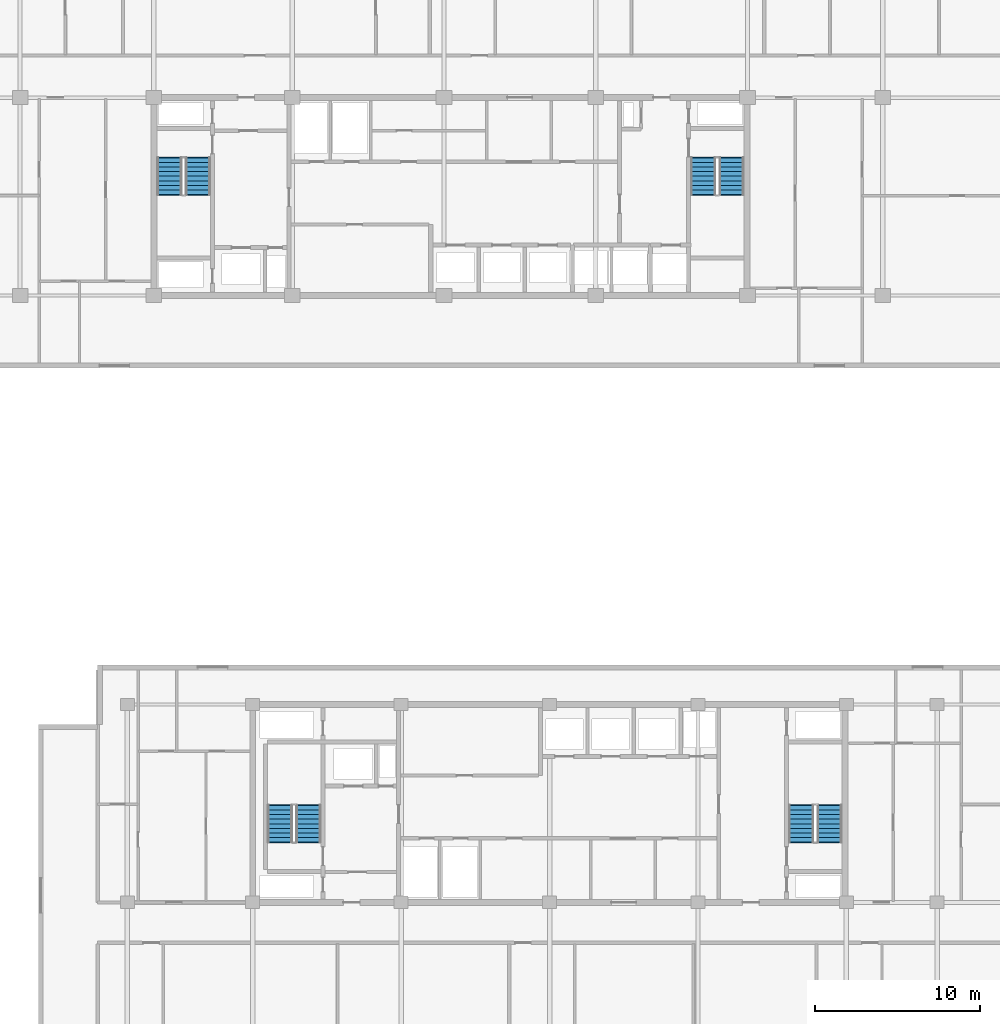
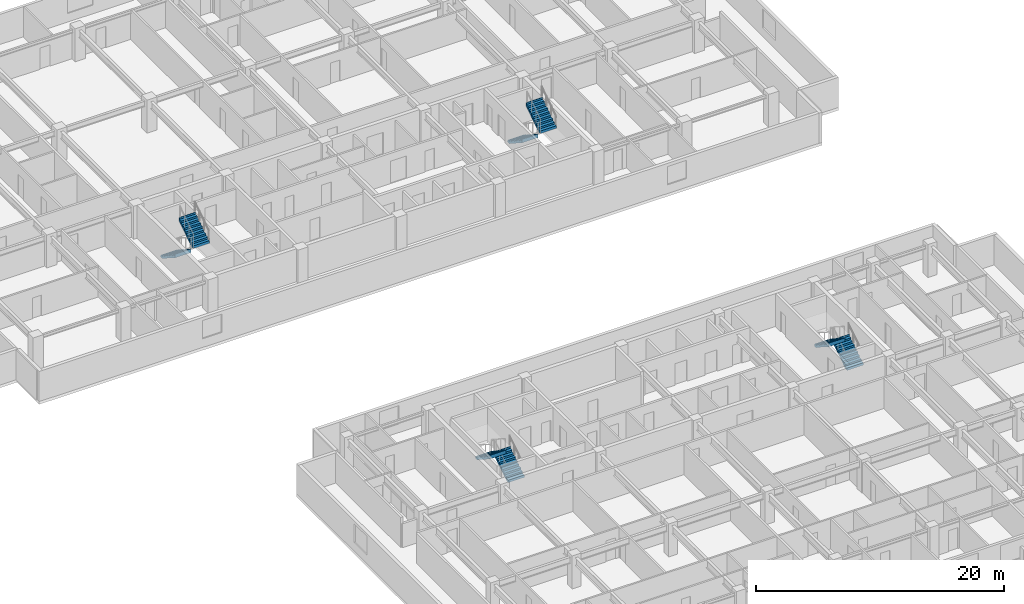
# One storey, part 17 of 22: 8 stair flights, 4 elements without a shape of their own.
"""IFC4 building model written with IfcOpenShell, lengths in metres."""

from ifc_helpers import new_model, si_unit, direction, frame, origin, place, context, subcontext, project, spatial, polyline, outline, extrude, material, type_object, element, aggregate, save


model = new_model("IFC4")

# Units and contexts
model_context = context("Model", 3, precision=1e-05, world=origin(), true_north=direction((0.0, 1.0)))
body_context = subcontext(model_context, "Body", "Model", "MODEL_VIEW")
ifc_project = project(units=[si_unit("LENGTHUNIT", "METRE"), si_unit("AREAUNIT", "SQUARE_METRE"), si_unit("VOLUMEUNIT", "CUBIC_METRE"), si_unit("PLANEANGLEUNIT", "RADIAN"), si_unit("MASSUNIT", "GRAM", prefix="KILO")], contexts=[model_context])

# Site, building, storey
site_placement = place(None, origin())
site = spatial("IfcSite", under=ifc_project, at=site_placement, CompositionType="ELEMENT")
building_placement = place(site_placement, origin())
building = spatial("IfcBuilding", under=site, at=building_placement, Name="Korimba Cascade Residences", CompositionType="ELEMENT")
storey_placement = place(building_placement, frame((0.0, 0.0, 132.800048828125)))
storey = spatial("IfcBuildingStorey", under=building, at=storey_placement, Name="L38", CompositionType="ELEMENT", Elevation=132.800048828125)

# Stair, stair flights
ifc_material = material(Name="Concrete C50/60", Category="concrete")
stair_type_1 = type_object("IfcStairType", Name="STR-W1-18R-1806", PredefinedType="HALF_TURN_STAIR", material=ifc_material)
stair_1_placement = place(storey_placement, origin())
stair_1 = element("IfcStair", 1, at=stair_1_placement, inside=storey, type_object=stair_type_1, Name="L38 Tower 1 West Fire Stair ST-W1", PredefinedType="HALF_TURN_STAIR")
stair_flight_type = type_object("IfcStairFlightType", Name="STF-DL-18R-1806-1520", PredefinedType="STRAIGHT", material=ifc_material)
stair_flight_1_placement = place(storey_placement, frame((77.06005859375, 63.550048828125, 0.0), z_axis=(0.0, 0.0, 1.0), x_axis=(0.0, -1.0, 0.0)))
stair_flight_1 = element("IfcStairFlight", 2, at=stair_flight_1_placement, type_object=stair_flight_type, Name="ST-W1 flight 1", NumberOfRisers=9, NumberOfTreads=8, PredefinedType="STRAIGHT", RiserHeight=0.180555556, TreadLength=0.28, context=body_context, shape_type="SweptSolid", body=[
    extrude(outline(polyline([(-0.0380859375, 0.0), (0.0, 0.1806640625), (0.280029296875, 0.1806640625), (0.280029296875, 0.361083984375), (0.56005859375, 0.361083984375), (0.56005859375, 0.541748046875), (0.840087890625, 0.541748046875), (0.840087890625, 0.72216796875), (1.1201171875, 0.72216796875), (1.1201171875, 0.90283203125), (1.39990234375, 0.90283203125), (1.39990234375, 1.083251953125), (1.679931640625, 1.083251953125), (1.679931640625, 1.263916015625), (1.9599609375, 1.263916015625), (1.9599609375, 1.4443359375), (2.239990234375, 1.4443359375), (2.239990234375, 1.625), (2.278076171875, 1.625), (2.278076171875, 1.26611328125), (0.276611328125, 0.0), (0.276611328125, -0.0380859375), (-0.0380859375, -0.0380859375), (-0.0380859375, 0.0)])), frame((0.0, 0.760009765625, 0.0), z_axis=(0.0, -1.0, 0.0), x_axis=(1.0, 0.0, 0.0)), (0.0, 0.0, 1.0), 1.52001953125),
])
stair_flight_2_placement = place(storey_placement, frame((78.780029296875, 61.31005859375, 1.625), z_axis=(0.0, 0.0, 1.0), x_axis=(0.0, 1.0, 0.0)))
stair_flight_2 = element("IfcStairFlight", 3, at=stair_flight_2_placement, type_object=stair_flight_type, Name="ST-W1 flight 2", NumberOfRisers=9, NumberOfTreads=8, PredefinedType="STRAIGHT", RiserHeight=0.180555556, TreadLength=0.28, context=body_context, shape_type="SweptSolid", body=[
    extrude(outline(polyline([(-0.0380859375, 0.0), (0.0, 0.1806640625), (0.280029296875, 0.1806640625), (0.280029296875, 0.361083984375), (0.56005859375, 0.361083984375), (0.56005859375, 0.541748046875), (0.840087890625, 0.541748046875), (0.840087890625, 0.72216796875), (1.1201171875, 0.72216796875), (1.1201171875, 0.90283203125), (1.39990234375, 0.90283203125), (1.39990234375, 1.083251953125), (1.679931640625, 1.083251953125), (1.679931640625, 1.263916015625), (1.9599609375, 1.263916015625), (1.9599609375, 1.4443359375), (2.239990234375, 1.4443359375), (2.239990234375, 1.625), (2.278076171875, 1.625), (2.278076171875, 1.26611328125), (0.276611328125, 0.0), (0.276611328125, -0.0380859375), (-0.0380859375, -0.0380859375), (-0.0380859375, 0.0)])), frame((0.0, 0.760009765625, 0.0), z_axis=(0.0, -1.0, 0.0), x_axis=(1.0, 0.0, 0.0)), (0.0, 0.0, 1.0), 1.52001953125),
])
aggregate(stair_1, [stair_flight_1, stair_flight_2])

stair_type_2 = type_object("IfcStairType", Name="STR-W2-18R-1806", PredefinedType="HALF_TURN_STAIR", material=ifc_material)
stair_2_placement = place(storey_placement, origin())
stair_2 = element("IfcStair", 4, at=stair_2_placement, inside=storey, type_object=stair_type_2, Name="L38 Tower 1 East Fire Stair ST-W2", PredefinedType="HALF_TURN_STAIR")
stair_flight_3_placement = place(storey_placement, frame((109.419921875, 63.550048828125, 0.0), z_axis=(0.0, 0.0, 1.0), x_axis=(0.0, -1.0, 0.0)))
stair_flight_3 = element("IfcStairFlight", 5, at=stair_flight_3_placement, type_object=stair_flight_type, Name="ST-W2 flight 1", NumberOfRisers=9, NumberOfTreads=8, PredefinedType="STRAIGHT", RiserHeight=0.180555556, TreadLength=0.28, context=body_context, shape_type="SweptSolid", body=[
    extrude(outline(polyline([(-0.0380859375, 0.0), (0.0, 0.1806640625), (0.280029296875, 0.1806640625), (0.280029296875, 0.361083984375), (0.56005859375, 0.361083984375), (0.56005859375, 0.541748046875), (0.840087890625, 0.541748046875), (0.840087890625, 0.72216796875), (1.1201171875, 0.72216796875), (1.1201171875, 0.90283203125), (1.39990234375, 0.90283203125), (1.39990234375, 1.083251953125), (1.679931640625, 1.083251953125), (1.679931640625, 1.263916015625), (1.9599609375, 1.263916015625), (1.9599609375, 1.4443359375), (2.239990234375, 1.4443359375), (2.239990234375, 1.625), (2.278076171875, 1.625), (2.278076171875, 1.26611328125), (0.276611328125, 0.0), (0.276611328125, -0.0380859375), (-0.0380859375, -0.0380859375), (-0.0380859375, 0.0)])), frame((0.0, 0.760009765625, 0.0), z_axis=(0.0, -1.0, 0.0), x_axis=(1.0, 0.0, 0.0)), (0.0, 0.0, 1.0), 1.52001953125),
])
stair_flight_4_placement = place(storey_placement, frame((111.139892578125, 61.31005859375, 1.625), z_axis=(0.0, 0.0, 1.0), x_axis=(0.0, 1.0, 0.0)))
stair_flight_4 = element("IfcStairFlight", 6, at=stair_flight_4_placement, type_object=stair_flight_type, Name="ST-W2 flight 2", NumberOfRisers=9, NumberOfTreads=8, PredefinedType="STRAIGHT", RiserHeight=0.180555556, TreadLength=0.28, context=body_context, shape_type="SweptSolid", body=[
    extrude(outline(polyline([(-0.0380859375, 0.0), (0.0, 0.1806640625), (0.280029296875, 0.1806640625), (0.280029296875, 0.361083984375), (0.56005859375, 0.361083984375), (0.56005859375, 0.541748046875), (0.840087890625, 0.541748046875), (0.840087890625, 0.72216796875), (1.1201171875, 0.72216796875), (1.1201171875, 0.90283203125), (1.39990234375, 0.90283203125), (1.39990234375, 1.083251953125), (1.679931640625, 1.083251953125), (1.679931640625, 1.263916015625), (1.9599609375, 1.263916015625), (1.9599609375, 1.4443359375), (2.239990234375, 1.4443359375), (2.239990234375, 1.625), (2.278076171875, 1.625), (2.278076171875, 1.26611328125), (0.276611328125, 0.0), (0.276611328125, -0.0380859375), (-0.0380859375, -0.0380859375), (-0.0380859375, 0.0)])), frame((0.0, 0.760009765625, 0.0), z_axis=(0.0, -1.0, 0.0), x_axis=(1.0, 0.0, 0.0)), (0.0, 0.0, 1.0), 1.52001953125),
])
aggregate(stair_2, [stair_flight_3, stair_flight_4])

stair_type_3 = type_object("IfcStairType", Name="STR-E1-18R-1806", PredefinedType="HALF_TURN_STAIR", material=ifc_material)
stair_3_placement = place(storey_placement, origin())
stair_3 = element("IfcStair", 7, at=stair_3_placement, inside=storey, type_object=stair_type_3, Name="L38 Tower 2 West Fire Stair ST-E1", PredefinedType="HALF_TURN_STAIR")
stair_flight_5_placement = place(storey_placement, frame((85.47998046875, 22.050048828125, 0.0), z_axis=(0.0, 0.0, 1.0), x_axis=(0.0, 1.0, 0.0)))
stair_flight_5 = element("IfcStairFlight", 8, at=stair_flight_5_placement, type_object=stair_flight_type, Name="ST-E1 flight 1", NumberOfRisers=9, NumberOfTreads=8, PredefinedType="STRAIGHT", RiserHeight=0.180555556, TreadLength=0.28, context=body_context, shape_type="SweptSolid", body=[
    extrude(outline(polyline([(-0.0380859375, 0.0), (0.0, 0.1806640625), (0.280029296875, 0.1806640625), (0.280029296875, 0.361083984375), (0.56005859375, 0.361083984375), (0.56005859375, 0.541748046875), (0.840087890625, 0.541748046875), (0.840087890625, 0.72216796875), (1.1201171875, 0.72216796875), (1.1201171875, 0.90283203125), (1.39990234375, 0.90283203125), (1.39990234375, 1.083251953125), (1.679931640625, 1.083251953125), (1.679931640625, 1.263916015625), (1.9599609375, 1.263916015625), (1.9599609375, 1.4443359375), (2.239990234375, 1.4443359375), (2.239990234375, 1.625), (2.278076171875, 1.625), (2.278076171875, 1.26611328125), (0.276611328125, 0.0), (0.276611328125, -0.0380859375), (-0.0380859375, -0.0380859375), (-0.0380859375, 0.0)])), frame((0.0, 0.760009765625, 0.0), z_axis=(0.0, -1.0, 0.0), x_axis=(1.0, 0.0, 0.0)), (0.0, 0.0, 1.0), 1.52001953125),
])
stair_flight_6_placement = place(storey_placement, frame((83.760009765625, 24.2900390625, 1.625), z_axis=(0.0, 0.0, 1.0), x_axis=(0.0, -1.0, 0.0)))
stair_flight_6 = element("IfcStairFlight", 9, at=stair_flight_6_placement, type_object=stair_flight_type, Name="ST-E1 flight 2", NumberOfRisers=9, NumberOfTreads=8, PredefinedType="STRAIGHT", RiserHeight=0.180555556, TreadLength=0.28, context=body_context, shape_type="SweptSolid", body=[
    extrude(outline(polyline([(-0.0380859375, 0.0), (0.0, 0.1806640625), (0.280029296875, 0.1806640625), (0.280029296875, 0.361083984375), (0.56005859375, 0.361083984375), (0.56005859375, 0.541748046875), (0.840087890625, 0.541748046875), (0.840087890625, 0.72216796875), (1.1201171875, 0.72216796875), (1.1201171875, 0.90283203125), (1.39990234375, 0.90283203125), (1.39990234375, 1.083251953125), (1.679931640625, 1.083251953125), (1.679931640625, 1.263916015625), (1.9599609375, 1.263916015625), (1.9599609375, 1.4443359375), (2.239990234375, 1.4443359375), (2.239990234375, 1.625), (2.278076171875, 1.625), (2.278076171875, 1.26611328125), (0.276611328125, 0.0), (0.276611328125, -0.0380859375), (-0.0380859375, -0.0380859375), (-0.0380859375, 0.0)])), frame((0.0, 0.760009765625, 0.0), z_axis=(0.0, -1.0, 0.0), x_axis=(1.0, 0.0, 0.0)), (0.0, 0.0, 1.0), 1.52001953125),
])
aggregate(stair_3, [stair_flight_5, stair_flight_6])

stair_type_4 = type_object("IfcStairType", Name="STR-E2-18R-1806", PredefinedType="HALF_TURN_STAIR", material=ifc_material)
stair_4_placement = place(storey_placement, origin())
stair_4 = element("IfcStair", 10, at=stair_4_placement, inside=storey, type_object=stair_type_4, Name="L38 Tower 2 East Fire Stair ST-E2", PredefinedType="HALF_TURN_STAIR")
stair_flight_7_placement = place(storey_placement, frame((117.080078125, 22.050048828125, 0.0), z_axis=(0.0, 0.0, 1.0), x_axis=(0.0, 1.0, 0.0)))
stair_flight_7 = element("IfcStairFlight", 11, at=stair_flight_7_placement, type_object=stair_flight_type, Name="ST-E2 flight 1", NumberOfRisers=9, NumberOfTreads=8, PredefinedType="STRAIGHT", RiserHeight=0.180555556, TreadLength=0.28, context=body_context, shape_type="SweptSolid", body=[
    extrude(outline(polyline([(-0.0380859375, 0.0), (0.0, 0.1806640625), (0.280029296875, 0.1806640625), (0.280029296875, 0.361083984375), (0.56005859375, 0.361083984375), (0.56005859375, 0.541748046875), (0.840087890625, 0.541748046875), (0.840087890625, 0.72216796875), (1.1201171875, 0.72216796875), (1.1201171875, 0.90283203125), (1.39990234375, 0.90283203125), (1.39990234375, 1.083251953125), (1.679931640625, 1.083251953125), (1.679931640625, 1.263916015625), (1.9599609375, 1.263916015625), (1.9599609375, 1.4443359375), (2.239990234375, 1.4443359375), (2.239990234375, 1.625), (2.278076171875, 1.625), (2.278076171875, 1.26611328125), (0.276611328125, 0.0), (0.276611328125, -0.0380859375), (-0.0380859375, -0.0380859375), (-0.0380859375, 0.0)])), frame((0.0, 0.760009765625, 0.0), z_axis=(0.0, -1.0, 0.0), x_axis=(1.0, 0.0, 0.0)), (0.0, 0.0, 1.0), 1.52001953125),
])
stair_flight_8_placement = place(storey_placement, frame((115.360107421875, 24.2900390625, 1.625), z_axis=(0.0, 0.0, 1.0), x_axis=(0.0, -1.0, 0.0)))
stair_flight_8 = element("IfcStairFlight", 12, at=stair_flight_8_placement, type_object=stair_flight_type, Name="ST-E2 flight 2", NumberOfRisers=9, NumberOfTreads=8, PredefinedType="STRAIGHT", RiserHeight=0.180555556, TreadLength=0.28, context=body_context, shape_type="SweptSolid", body=[
    extrude(outline(polyline([(-0.0380859375, 0.0), (0.0, 0.1806640625), (0.280029296875, 0.1806640625), (0.280029296875, 0.361083984375), (0.56005859375, 0.361083984375), (0.56005859375, 0.541748046875), (0.840087890625, 0.541748046875), (0.840087890625, 0.72216796875), (1.1201171875, 0.72216796875), (1.1201171875, 0.90283203125), (1.39990234375, 0.90283203125), (1.39990234375, 1.083251953125), (1.679931640625, 1.083251953125), (1.679931640625, 1.263916015625), (1.9599609375, 1.263916015625), (1.9599609375, 1.4443359375), (2.239990234375, 1.4443359375), (2.239990234375, 1.625), (2.278076171875, 1.625), (2.278076171875, 1.26611328125), (0.276611328125, 0.0), (0.276611328125, -0.0380859375), (-0.0380859375, -0.0380859375), (-0.0380859375, 0.0)])), frame((0.0, 0.760009765625, 0.0), z_axis=(0.0, -1.0, 0.0), x_axis=(1.0, 0.0, 0.0)), (0.0, 0.0, 1.0), 1.52001953125),
])
aggregate(stair_4, [stair_flight_7, stair_flight_8])

save(model, "model.ifc")
